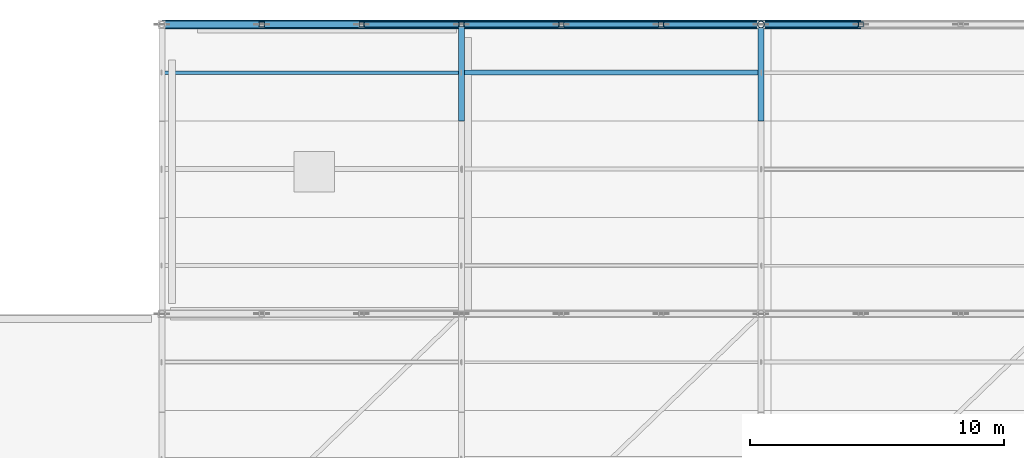
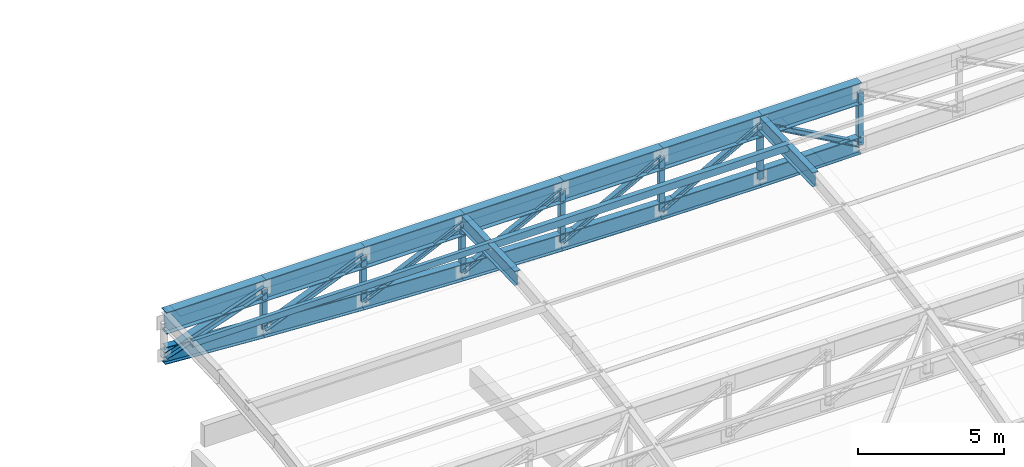
# One storey, part 27 of 65: 18 members, 14 beams.
"""IFC4 building model written with IfcOpenShell, lengths in metres."""

from ifc_helpers import new_model, si_unit, direction, frame, origin, origin_2d, place, context, subcontext, project, spatial, hollow_rectangle, hollow_circle, i_section, extrude, material, material_profile, profile_set, type_object, element, save


model = new_model("IFC4")

# Units and contexts
model_context = context("Model", 3, precision=1e-05, world=origin(), true_north=direction((0.0, 1.0)))
body_context = subcontext(model_context, "Body", "Model", "MODEL_VIEW")
ifc_project = project(units=[si_unit("LENGTHUNIT", "METRE"), si_unit("AREAUNIT", "SQUARE_METRE"), si_unit("VOLUMEUNIT", "CUBIC_METRE"), si_unit("PLANEANGLEUNIT", "RADIAN"), si_unit("MASSUNIT", "GRAM", prefix="KILO"), si_unit("POWERUNIT", "WATT"), si_unit("THERMODYNAMICTEMPERATUREUNIT", "KELVIN")], contexts=[model_context])

# Site, building, storey
site_placement = place(None, origin())
site = spatial("IfcSite", under=ifc_project, at=site_placement, CompositionType="ELEMENT")
building_placement = place(site_placement, origin())
building = spatial("IfcBuilding", under=site, at=building_placement, Name="Kelmbourne Parkland Aquatics Centre", CompositionType="ELEMENT")
storey_placement = place(building_placement, frame((0.0, 0.0, 27.0)))
storey = spatial("IfcBuildingStorey", under=building, at=storey_placement, Name="RF", CompositionType="ELEMENT", Elevation=27.0)

# Members
ifc_material_1 = material(Name="Structural steel AS/NZS 3679.1 Grade 300", Category="steel")
ifc_material_profile_1 = material_profile(ifc_material_1, i_section(OverallWidth=0.306884765625, OverallDepth=0.31494140625, WebThickness=0.011962890625, FlangeThickness=0.018798828125, at=origin_2d()), Name="310UC118")
ifc_profile_set_1 = profile_set([ifc_material_profile_1], Name="Structural steel AS/NZS 3679.1 Grade 300")
member_type_1 = type_object("IfcMemberType", Name="MB-DIAG1", PredefinedType="STRUT", material=ifc_profile_set_1)
member_1_placement = place(storey_placement, frame((128.0, 114.800048828125, -0.199951171875), z_axis=(0.943617957768, 0.0, 0.331036478015), x_axis=(0.0, 1.0, 0.0)))
element("IfcMember", 1, at=member_1_placement, inside=storey, type_object=member_type_1, Name="Roof truss R10 web diagonal 1", PredefinedType="STRUT", context=body_context, shape_type="SweptSolid", body=[
    extrude(i_section(OverallWidth=0.306884765625, OverallDepth=0.31494140625, WebThickness=0.011962890625, FlangeThickness=0.018798828125, at=origin_2d()), origin(), (0.0, 0.0, 1.0), 4.16845703125),
])
ifc_material_profile_2 = material_profile(ifc_material_1, i_section(OverallWidth=0.256103515625, OverallDepth=0.260009765625, WebThickness=0.010498046875, FlangeThickness=0.017333984375, at=origin_2d()), Name="250UC89.5")
ifc_profile_set_2 = profile_set([ifc_material_profile_2], Name="Structural steel AS/NZS 3679.1 Grade 300")
member_type_2 = type_object("IfcMemberType", Name="MB-DIAG2", PredefinedType="STRUT", material=ifc_profile_set_2)
member_2_placement = place(storey_placement, frame((131.933349609375, 114.800048828125, -0.459716796875), z_axis=(0.923014195881, 0.0, 0.384765895322), x_axis=(0.0, 1.0, 0.0)))
element("IfcMember", 2, at=member_2_placement, inside=storey, type_object=member_type_2, Name="Roof truss R10 web diagonal 2", PredefinedType="STRUT", context=body_context, shape_type="SweptSolid", body=[
    extrude(i_section(OverallWidth=0.256103515625, OverallDepth=0.260009765625, WebThickness=0.010498046875, FlangeThickness=0.017333984375, at=origin_2d()), origin(), (0.0, 0.0, 1.0), 4.261474609375),
])
ifc_material_profile_3 = material_profile(ifc_material_1, i_section(OverallWidth=0.205078125, OverallDepth=0.2099609375, WebThickness=0.00927734375, FlangeThickness=0.01416015625, at=origin_2d()), Name="200UC59.5")
ifc_profile_set_3 = profile_set([ifc_material_profile_3], Name="Structural steel AS/NZS 3679.1 Grade 300")
member_type_3 = type_object("IfcMemberType", Name="MB-DIAG3", PredefinedType="STRUT", material=ifc_profile_set_3)
member_3_placement = place(storey_placement, frame((135.86669921875, 114.800048828125, -0.672119140625), z_axis=(0.904724503936, 0.0, 0.425997150199), x_axis=(0.0, 1.0, 0.0)))
element("IfcMember", 3, at=member_3_placement, inside=storey, type_object=member_type_3, Name="Roof truss R10 web diagonal 3", PredefinedType="STRUT", context=body_context, shape_type="SweptSolid", body=[
    extrude(i_section(OverallWidth=0.205078125, OverallDepth=0.2099609375, WebThickness=0.00927734375, FlangeThickness=0.01416015625, at=origin_2d()), origin(), (0.0, 0.0, 1.0), 4.34765625),
])
member_4_placement = place(storey_placement, frame((139.800048828125, 114.800048828125, -0.83740234375), z_axis=(0.889796186707, 0.0, 0.456358133621), x_axis=(0.0, 1.0, 0.0)))
element("IfcMember", 4, at=member_4_placement, inside=storey, type_object=member_type_3, Name="Roof truss R10 web diagonal 4", PredefinedType="STRUT", context=body_context, shape_type="SweptSolid", body=[
    extrude(i_section(OverallWidth=0.205078125, OverallDepth=0.2099609375, WebThickness=0.00927734375, FlangeThickness=0.01416015625, at=origin_2d()), origin(), (0.0, 0.0, 1.0), 4.42041015625),
])
member_5_placement = place(storey_placement, frame((143.7333984375, 114.800048828125, -0.95556640625), z_axis=(0.878829905293, 0.0, 0.477135198411), x_axis=(0.0, 1.0, 0.0)))
element("IfcMember", 5, at=member_5_placement, inside=storey, type_object=member_type_3, Name="Roof truss R10 web diagonal 5", PredefinedType="STRUT", context=body_context, shape_type="SweptSolid", body=[
    extrude(i_section(OverallWidth=0.205078125, OverallDepth=0.2099609375, WebThickness=0.00927734375, FlangeThickness=0.01416015625, at=origin_2d()), origin(), (0.0, 0.0, 1.0), 4.4755859375),
])
for number, where, z_axis, x_axis, name in (
    (6, (147.666748046875, 114.800048828125, -1.0263671875), (0.872163322486, 0.0, 0.489214818776), (0.0, 1.0, 0.0), "Roof truss R10 web diagonal 6"),
    (7, (151.60009765625, 114.800048828125, 1.179931640625), (0.872150365461, 0.0, -0.489237917608), (0.0, 1.0, 0.0), "Roof truss R10 web diagonal 7"),
):
    element("IfcMember", number, at=place(storey_placement, frame(where, z_axis=z_axis, x_axis=x_axis)), inside=storey, type_object=member_type_3, Name=name, PredefinedType="STRUT", context=body_context, shape_type="SweptSolid", body=[
        extrude(i_section(OverallWidth=0.205078125, OverallDepth=0.2099609375, WebThickness=0.00927734375, FlangeThickness=0.01416015625, at=origin_2d()), origin(), (0.0, 0.0, 1.0), 4.509765625),
    ])
ifc_material_profile_4 = material_profile(ifc_material_1, i_section(OverallWidth=0.22900390625, OverallDepth=0.612060546875, WebThickness=0.011962890625, FlangeThickness=0.01953125, at=origin_2d()), Name="610UB125")
ifc_profile_set_4 = profile_set([ifc_material_profile_4], Name="Structural steel AS/NZS 3679.1 Grade 300")
member_type_4 = type_object("IfcMemberType", Name="MB-LRIB", PredefinedType="STRUT", material=ifc_profile_set_4)
for number, where, z_axis, x_axis, name in (
    (8, (139.800048828125, 111.0, 1.16357421875), (0.0, 0.999355718738, 0.035890770753), (-1.0, 0.0, 0.0), "Longitudinal wave rib K3 strip 30"),
    (9, (151.60009765625, 111.0, 1.16357421875), (0.0, 0.999355718738, 0.035890770753), (-1.0, 0.0, 0.0), "Longitudinal wave rib K6 strip 30"),
):
    element("IfcMember", number, at=place(storey_placement, frame(where, z_axis=z_axis, x_axis=x_axis)), inside=storey, type_object=member_type_4, Name=name, PredefinedType="STRUT", context=body_context, shape_type="SweptSolid", body=[
        extrude(i_section(OverallWidth=0.22900390625, OverallDepth=0.612060546875, WebThickness=0.011962890625, FlangeThickness=0.01953125, at=origin_2d()), origin(), (0.0, 0.0, 1.0), 3.802490234375),
    ])
ifc_material_2 = material(Name="Cold-formed hollow steel AS/NZS 1163 C350L0", Category="steel")
ifc_material_profile_5 = material_profile(ifc_material_2, hollow_rectangle(XDim=0.199951171875, YDim=0.199951171875, WallThickness=0.010009765625, at=origin_2d()), Name="SHS 200x200x10.0")
ifc_profile_set_5 = profile_set([ifc_material_profile_5], Name="Cold-formed hollow steel AS/NZS 1163 C350L0")
member_type_5 = type_object("IfcMemberType", Name="MB-POST1", PredefinedType="STRUT", material=ifc_profile_set_5)
member_6_placement = place(storey_placement, frame((131.933349609375, 114.800048828125, -0.459716796875), z_axis=(0.0, 0.0, 1.0), x_axis=(1.0, 0.0, 0.0)))
element("IfcMember", 10, at=member_6_placement, inside=storey, type_object=member_type_5, Name="Roof truss R10 vertical post 1", PredefinedType="STRUT", context=body_context, shape_type="SweptSolid", body=[
    extrude(hollow_rectangle(XDim=0.199951171875, YDim=0.199951171875, WallThickness=0.010009765625, at=origin_2d()), origin(), (0.0, 0.0, 1.0), 1.6396484375),
])
member_7_placement = place(storey_placement, frame((135.86669921875, 114.800048828125, -0.672119140625), z_axis=(0.0, 0.0, 1.0), x_axis=(1.0, 0.0, 0.0)))
element("IfcMember", 11, at=member_7_placement, inside=storey, type_object=member_type_5, Name="Roof truss R10 vertical post 2", PredefinedType="STRUT", context=body_context, shape_type="SweptSolid", body=[
    extrude(hollow_rectangle(XDim=0.199951171875, YDim=0.199951171875, WallThickness=0.010009765625, at=origin_2d()), origin(), (0.0, 0.0, 1.0), 1.85205078125),
])
member_8_placement = place(storey_placement, frame((139.800048828125, 114.800048828125, -0.83740234375), z_axis=(0.0, 0.0, 1.0), x_axis=(1.0, 0.0, 0.0)))
element("IfcMember", 12, at=member_8_placement, inside=storey, type_object=member_type_5, Name="Roof truss R10 vertical post 3", PredefinedType="STRUT", context=body_context, shape_type="SweptSolid", body=[
    extrude(hollow_rectangle(XDim=0.199951171875, YDim=0.199951171875, WallThickness=0.010009765625, at=origin_2d()), origin(), (0.0, 0.0, 1.0), 2.017333984375),
])
member_9_placement = place(storey_placement, frame((143.7333984375, 114.800048828125, -0.95556640625), z_axis=(0.0, 0.0, 1.0), x_axis=(1.0, 0.0, 0.0)))
element("IfcMember", 13, at=member_9_placement, inside=storey, type_object=member_type_5, Name="Roof truss R10 vertical post 4", PredefinedType="STRUT", context=body_context, shape_type="SweptSolid", body=[
    extrude(hollow_rectangle(XDim=0.199951171875, YDim=0.199951171875, WallThickness=0.010009765625, at=origin_2d()), origin(), (0.0, 0.0, 1.0), 2.135498046875),
])
for number, where, z_axis, x_axis, name in (
    (14, (147.666748046875, 114.800048828125, -1.0263671875), (0.0, 0.0, 1.0), (1.0, 0.0, 0.0), "Roof truss R10 vertical post 5"),
    (15, (155.533203125, 114.800048828125, -1.0263671875), (0.0, 0.0, 1.0), (1.0, 0.0, 0.0), "Roof truss R10 vertical post 7"),
):
    element("IfcMember", number, at=place(storey_placement, frame(where, z_axis=z_axis, x_axis=x_axis)), inside=storey, type_object=member_type_5, Name=name, PredefinedType="STRUT", context=body_context, shape_type="SweptSolid", body=[
        extrude(hollow_rectangle(XDim=0.199951171875, YDim=0.199951171875, WallThickness=0.010009765625, at=origin_2d()), origin(), (0.0, 0.0, 1.0), 2.206298828125),
    ])
ifc_material_profile_6 = material_profile(ifc_material_2, hollow_circle(Radius=0.136474609375, WallThickness=0.00927734375, at=origin_2d()), Name="CHS 273.1x9.3")
ifc_profile_set_6 = profile_set([ifc_material_profile_6], Name="Cold-formed hollow steel AS/NZS 1163 C350L0")
member_type_6 = type_object("IfcMemberType", Name="MB-POST2", PredefinedType="STRUT", material=ifc_profile_set_6)
member_10_placement = place(storey_placement, frame((151.60009765625, 114.800048828125, -1.050048828125), z_axis=(0.0, 0.0, 1.0), x_axis=(1.0, 0.0, 0.0)))
element("IfcMember", 16, at=member_10_placement, inside=storey, type_object=member_type_6, Name="Roof truss R10 vertical post 6", PredefinedType="STRUT", context=body_context, shape_type="SweptSolid", body=[
    extrude(hollow_circle(Radius=0.136474609375, WallThickness=0.00927734375, at=origin_2d()), origin(), (0.0, 0.0, 1.0), 2.22998046875),
])
ifc_material_profile_7 = material_profile(ifc_material_2, hollow_rectangle(XDim=0.14990234375, YDim=0.25, WallThickness=0.009033203125, at=origin_2d()), Name="RHS 250x150x9.0")
ifc_profile_set_7 = profile_set([ifc_material_profile_7], Name="Cold-formed hollow steel AS/NZS 1163 C350L0")
member_type_7 = type_object("IfcMemberType", Name="MB-PUR2", PredefinedType="PURLIN", material=ifc_profile_set_7)
member_11_placement = place(storey_placement, frame((128.0, 112.89990234375, 1.416748046875), z_axis=(1.0, 0.0, 0.0), x_axis=(0.0, 1.0, 0.0)))
element("IfcMember", 17, at=member_11_placement, inside=storey, type_object=member_type_7, Name="Wave roof purlin S30-G1", PredefinedType="PURLIN", context=body_context, shape_type="SweptSolid", body=[
    extrude(hollow_rectangle(XDim=0.14990234375, YDim=0.25, WallThickness=0.009033203125, at=origin_2d()), origin(), (0.0, 0.0, 1.0), 11.800048828125),
])
ifc_material_profile_8 = material_profile(ifc_material_2, hollow_rectangle(XDim=0.199951171875, YDim=0.300048828125, WallThickness=0.010009765625, at=origin_2d()), Name="RHS 300x200x10.0")
ifc_profile_set_8 = profile_set([ifc_material_profile_8], Name="Cold-formed hollow steel AS/NZS 1163 C350L0")
member_type_8 = type_object("IfcMemberType", Name="MB-PUR3", PredefinedType="PURLIN", material=ifc_profile_set_8)
member_12_placement = place(storey_placement, frame((139.800048828125, 112.89990234375, 1.391845703125), z_axis=(1.0, 0.0, 0.0), x_axis=(0.0, 1.0, 0.0)))
element("IfcMember", 18, at=member_12_placement, inside=storey, type_object=member_type_8, Name="Wave roof purlin S30-G2", PredefinedType="PURLIN", context=body_context, shape_type="SweptSolid", body=[
    extrude(hollow_rectangle(XDim=0.199951171875, YDim=0.300048828125, WallThickness=0.010009765625, at=origin_2d()), origin(), (0.0, 0.0, 1.0), 11.800048828125),
])

# Beams
ifc_material_3 = material(Name="Welded plate steel AS/NZS 3678 Grade 350", Category="steel")
ifc_material_profile_9 = material_profile(ifc_material_3, i_section(OverallWidth=0.27490234375, OverallDepth=0.716064453125, WebThickness=0.011962890625, FlangeThickness=0.02490234375, at=origin_2d()), Name="700WB173")
ifc_profile_set_9 = profile_set([ifc_material_profile_9], Name="Welded plate steel AS/NZS 3678 Grade 350")
beam_type_1 = type_object("IfcBeamType", Name="TR-BC1", PredefinedType="BEAM", material=ifc_profile_set_9)
beam_1_placement = place(storey_placement, frame((128.0, 114.800048828125, -0.199951171875), z_axis=(0.997826345785, 0.0, -0.065898282659), x_axis=(0.0, 1.0, 0.0)))
element("IfcBeam", 19, at=beam_1_placement, inside=storey, type_object=beam_type_1, Name="Roof truss R10 bottom chord 1", PredefinedType="BEAM", context=body_context, shape_type="SweptSolid", body=[
    extrude(i_section(OverallWidth=0.27490234375, OverallDepth=0.716064453125, WebThickness=0.011962890625, FlangeThickness=0.02490234375, at=origin_2d()), origin(), (0.0, 0.0, 1.0), 3.94189453125),
])
beam_2_placement = place(storey_placement, frame((131.933349609375, 114.800048828125, -0.459716796875), z_axis=(0.998545160894, 0.0, -0.053921810563), x_axis=(0.0, 1.0, 0.0)))
element("IfcBeam", 20, at=beam_2_placement, inside=storey, type_object=beam_type_1, Name="Roof truss R10 bottom chord 2", PredefinedType="BEAM", context=body_context, shape_type="SweptSolid", body=[
    extrude(i_section(OverallWidth=0.27490234375, OverallDepth=0.716064453125, WebThickness=0.011962890625, FlangeThickness=0.02490234375, at=origin_2d()), origin(), (0.0, 0.0, 1.0), 3.93896484375),
])
beam_3_placement = place(storey_placement, frame((135.86669921875, 114.800048828125, -0.672119140625), z_axis=(0.999118286144, 0.0, -0.041983928975), x_axis=(0.0, 1.0, 0.0)))
element("IfcBeam", 21, at=beam_3_placement, inside=storey, type_object=beam_type_1, Name="Roof truss R10 bottom chord 3", PredefinedType="BEAM", context=body_context, shape_type="SweptSolid", body=[
    extrude(i_section(OverallWidth=0.27490234375, OverallDepth=0.716064453125, WebThickness=0.011962890625, FlangeThickness=0.02490234375, at=origin_2d()), origin(), (0.0, 0.0, 1.0), 3.936767578125),
])
beam_4_placement = place(storey_placement, frame((139.800048828125, 114.800048828125, -0.83740234375), z_axis=(0.999549056749, 0.0, -0.030028039443), x_axis=(0.0, 1.0, 0.0)))
element("IfcBeam", 22, at=beam_4_placement, inside=storey, type_object=beam_type_1, Name="Roof truss R10 bottom chord 4", PredefinedType="BEAM", context=body_context, shape_type="SweptSolid", body=[
    extrude(i_section(OverallWidth=0.27490234375, OverallDepth=0.716064453125, WebThickness=0.011962890625, FlangeThickness=0.02490234375, at=origin_2d()), origin(), (0.0, 0.0, 1.0), 3.93505859375),
])
beam_5_placement = place(storey_placement, frame((143.7333984375, 114.800048828125, -0.95556640625), z_axis=(0.999838037122, 0.0, -0.017997208787), x_axis=(0.0, 1.0, 0.0)))
element("IfcBeam", 23, at=beam_5_placement, inside=storey, type_object=beam_type_1, Name="Roof truss R10 bottom chord 5", PredefinedType="BEAM", context=body_context, shape_type="SweptSolid", body=[
    extrude(i_section(OverallWidth=0.27490234375, OverallDepth=0.716064453125, WebThickness=0.011962890625, FlangeThickness=0.02490234375, at=origin_2d()), origin(), (0.0, 0.0, 1.0), 3.93408203125),
])
beam_6_placement = place(storey_placement, frame((147.666748046875, 114.800048828125, -1.0263671875), z_axis=(0.999981875891, 0.0, -0.006020622057), x_axis=(0.0, 1.0, 0.0)))
element("IfcBeam", 24, at=beam_6_placement, inside=storey, type_object=beam_type_1, Name="Roof truss R10 bottom chord 6", PredefinedType="BEAM", context=body_context, shape_type="SweptSolid", body=[
    extrude(i_section(OverallWidth=0.27490234375, OverallDepth=0.716064453125, WebThickness=0.011962890625, FlangeThickness=0.02490234375, at=origin_2d()), origin(), (0.0, 0.0, 1.0), 3.933349609375),
])
beam_7_placement = place(storey_placement, frame((151.60009765625, 114.800048828125, -1.050048828125), z_axis=(0.999981873641, 0.0, 0.006020995763), x_axis=(0.0, 1.0, 0.0)))
element("IfcBeam", 25, at=beam_7_placement, inside=storey, type_object=beam_type_1, Name="Roof truss R10 bottom chord 7", PredefinedType="BEAM", context=body_context, shape_type="SweptSolid", body=[
    extrude(i_section(OverallWidth=0.27490234375, OverallDepth=0.716064453125, WebThickness=0.011962890625, FlangeThickness=0.02490234375, at=origin_2d()), origin(), (0.0, 0.0, 1.0), 3.93310546875),
])
ifc_material_profile_10 = material_profile(ifc_material_3, i_section(OverallWidth=0.35009765625, OverallDepth=0.909912109375, WebThickness=0.011962890625, FlangeThickness=0.02490234375, at=origin_2d()), Name="900WB218")
ifc_profile_set_10 = profile_set([ifc_material_profile_10], Name="Welded plate steel AS/NZS 3678 Grade 350")
beam_type_2 = type_object("IfcBeamType", Name="TR-TC1", PredefinedType="BEAM", material=ifc_profile_set_10)
for number, where, z_axis, x_axis, name in (
    (26, (128.0, 114.800048828125, 1.179931640625), (1.0, 0.0, 0.0), (0.0, 1.0, 0.0), "Roof truss R10 top chord 1"),
    (27, (131.933349609375, 114.800048828125, 1.179931640625), (1.0, 0.0, 0.0), (0.0, 1.0, 0.0), "Roof truss R10 top chord 2"),
    (28, (135.86669921875, 114.800048828125, 1.179931640625), (1.0, 0.0, 0.0), (0.0, 1.0, 0.0), "Roof truss R10 top chord 3"),
    (29, (139.800048828125, 114.800048828125, 1.179931640625), (1.0, 0.0, 0.0), (0.0, 1.0, 0.0), "Roof truss R10 top chord 4"),
    (30, (143.7333984375, 114.800048828125, 1.179931640625), (1.0, 0.0, 0.0), (0.0, 1.0, 0.0), "Roof truss R10 top chord 5"),
    (31, (147.666748046875, 114.800048828125, 1.179931640625), (1.0, 0.0, 0.0), (0.0, 1.0, 0.0), "Roof truss R10 top chord 6"),
):
    element("IfcBeam", number, at=place(storey_placement, frame(where, z_axis=z_axis, x_axis=x_axis)), inside=storey, type_object=beam_type_2, Name=name, PredefinedType="BEAM", context=body_context, shape_type="SweptSolid", body=[
        extrude(i_section(OverallWidth=0.35009765625, OverallDepth=0.909912109375, WebThickness=0.011962890625, FlangeThickness=0.02490234375, at=origin_2d()), origin(), (0.0, 0.0, 1.0), 3.933349609375),
    ])
beam_8_placement = place(storey_placement, frame((151.60009765625, 114.800048828125, 1.179931640625), z_axis=(1.0, 0.0, 0.0), x_axis=(0.0, 1.0, 0.0)))
element("IfcBeam", 32, at=beam_8_placement, inside=storey, type_object=beam_type_2, Name="Roof truss R10 top chord 7", PredefinedType="BEAM", context=body_context, shape_type="SweptSolid", body=[
    extrude(i_section(OverallWidth=0.35009765625, OverallDepth=0.909912109375, WebThickness=0.011962890625, FlangeThickness=0.02490234375, at=origin_2d()), origin(), (0.0, 0.0, 1.0), 3.93310546875),
])

save(model, "model.ifc")
